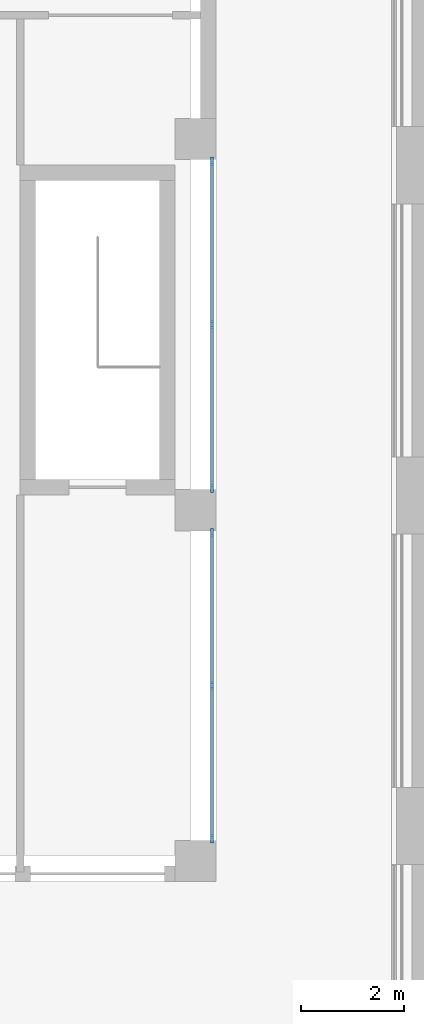
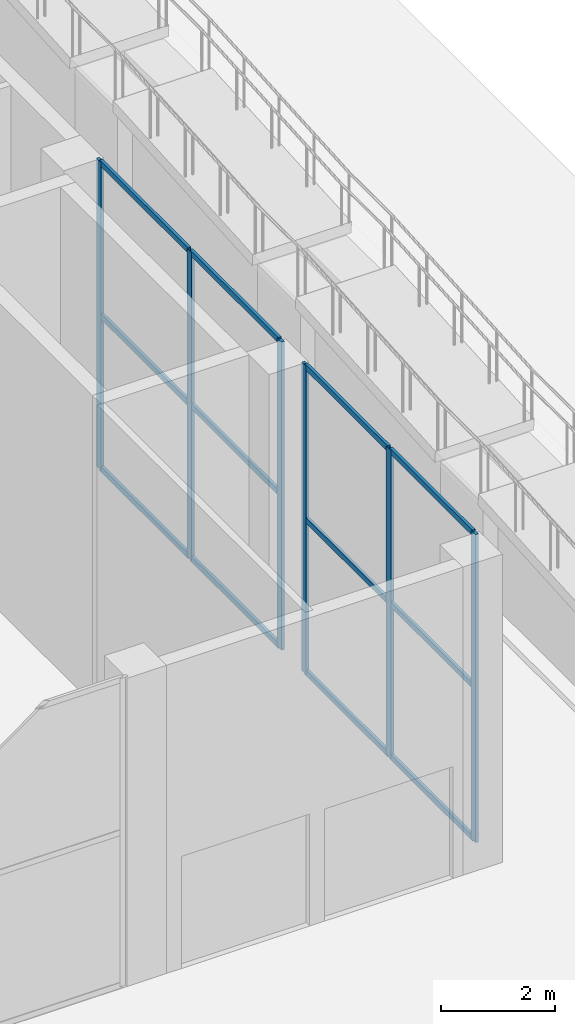
# One storey, part 8 of 44: 18 members, 2 elements without a shape of their own.
"""IFC4 building model written with IfcOpenShell, lengths in metres."""

from ifc_helpers import new_model, si_unit, direction, frame, origin, origin_2d, place, context, subcontext, project, spatial, rectangle, extrude, material, material_profile, profile_set, type_object, element, aggregate, save


model = new_model("IFC4")

# Units and contexts
model_context = context("Model", 3, precision=1e-05, world=origin(), true_north=direction((0.0, 1.0)))
body_context = subcontext(model_context, "Body", "Model", "MODEL_VIEW")
ifc_project = project(units=[si_unit("LENGTHUNIT", "METRE"), si_unit("AREAUNIT", "SQUARE_METRE"), si_unit("VOLUMEUNIT", "CUBIC_METRE"), si_unit("PLANEANGLEUNIT", "RADIAN"), si_unit("MASSUNIT", "GRAM", prefix="KILO")], contexts=[model_context])

# Site, building, storey
site_placement = place(None, origin())
site = spatial("IfcSite", under=ifc_project, at=site_placement, CompositionType="ELEMENT")
building_placement = place(site_placement, origin())
building = spatial("IfcBuilding", under=site, at=building_placement, Name="Fustian Cross Tower", CompositionType="ELEMENT")
storey_placement = place(building_placement, origin())
storey = spatial("IfcBuildingStorey", under=building, at=storey_placement, Name="L00", CompositionType="ELEMENT", Elevation=0.0)

# Curtain wall, members
ifc_material_1 = material(Name="Glass", Category="glass")
curtain_wall_type = type_object("IfcCurtainWallType", Name="CW3 CURTAIN WALL", PredefinedType="NOTDEFINED", material=ifc_material_1)
curtain_wall_1_placement = place(storey_placement, origin())
curtain_wall_1 = element("IfcCurtainWall", 1, at=curtain_wall_1_placement, inside=storey, type_object=curtain_wall_type, Name="Curtain wall CW3", PredefinedType="NOTDEFINED")
ifc_material_2 = material(Name="Aluminium alloy 6063", Category="aluminium")
ifc_material_profile_1 = material_profile(ifc_material_2, rectangle(XDim=0.06005859375, YDim=0.159912109375, at=origin_2d()), Name="CW3 MULLION 60x160")
ifc_profile_set_1 = profile_set([ifc_material_profile_1], Name="Aluminium alloy 6063")
member_type_1 = type_object("IfcMemberType", Name="CW3 MULLION 60x160", PredefinedType="MULLION", material=ifc_profile_set_1)
member_1_placement = place(storey_placement, frame((50.320068359375, -49.570068359375, 0.0), z_axis=(0.0, 0.0, 1.0), x_axis=(-1.0, 0.0, 0.0)))
member_1 = element("IfcMember", 2, at=member_1_placement, type_object=member_type_1, Name="CW3 mullion 1", PredefinedType="MULLION", context=body_context, shape_type="SweptSolid", body=[
    extrude(rectangle(XDim=0.06005859375, YDim=0.159912109375, at=origin_2d()), origin(), (0.0, 0.0, 1.0), 6.60009765625),
])
member_2_placement = place(storey_placement, frame((50.320068359375, -46.60009765625, 0.0), z_axis=(0.0, 0.0, 1.0), x_axis=(-1.0, 0.0, 0.0)))
member_2 = element("IfcMember", 3, at=member_2_placement, type_object=member_type_1, Name="CW3 mullion 2", PredefinedType="MULLION", context=body_context, shape_type="SweptSolid", body=[
    extrude(rectangle(XDim=0.06005859375, YDim=0.159912109375, at=origin_2d()), origin(), (0.0, 0.0, 1.0), 6.60009765625),
])
member_3_placement = place(storey_placement, frame((50.320068359375, -43.6298828125, 0.0), z_axis=(0.0, 0.0, 1.0), x_axis=(-1.0, 0.0, 0.0)))
member_3 = element("IfcMember", 4, at=member_3_placement, type_object=member_type_1, Name="CW3 mullion 3", PredefinedType="MULLION", context=body_context, shape_type="SweptSolid", body=[
    extrude(rectangle(XDim=0.06005859375, YDim=0.159912109375, at=origin_2d()), origin(), (0.0, 0.0, 1.0), 6.60009765625),
])

curtain_wall_2_placement = place(storey_placement, origin())
curtain_wall_2 = element("IfcCurtainWall", 5, at=curtain_wall_2_placement, inside=storey, type_object=curtain_wall_type, Name="Curtain wall CW3", PredefinedType="NOTDEFINED")
member_4_placement = place(storey_placement, frame((50.320068359375, -42.77001953125, 0.0), z_axis=(0.0, 0.0, 1.0), x_axis=(-1.0, 0.0, 0.0)))
member_4 = element("IfcMember", 6, at=member_4_placement, type_object=member_type_1, Name="CW3 mullion 1", PredefinedType="MULLION", context=body_context, shape_type="SweptSolid", body=[
    extrude(rectangle(XDim=0.06005859375, YDim=0.159912109375, at=origin_2d()), origin(), (0.0, 0.0, 1.0), 6.60009765625),
])
member_5_placement = place(storey_placement, frame((50.320068359375, -39.60009765625, 0.0), z_axis=(0.0, 0.0, 1.0), x_axis=(-1.0, 0.0, 0.0)))
member_5 = element("IfcMember", 7, at=member_5_placement, type_object=member_type_1, Name="CW3 mullion 2", PredefinedType="MULLION", context=body_context, shape_type="SweptSolid", body=[
    extrude(rectangle(XDim=0.06005859375, YDim=0.159912109375, at=origin_2d()), origin(), (0.0, 0.0, 1.0), 6.60009765625),
])
member_6_placement = place(storey_placement, frame((50.320068359375, -36.429931640625, 0.0), z_axis=(0.0, 0.0, 1.0), x_axis=(-1.0, 0.0, 0.0)))
member_6 = element("IfcMember", 8, at=member_6_placement, type_object=member_type_1, Name="CW3 mullion 3", PredefinedType="MULLION", context=body_context, shape_type="SweptSolid", body=[
    extrude(rectangle(XDim=0.06005859375, YDim=0.159912109375, at=origin_2d()), origin(), (0.0, 0.0, 1.0), 6.60009765625),
])

# Member
ifc_material_3 = material(Name="Aluminium alloy 6063", Category="aluminium")
ifc_material_profile_2 = material_profile(ifc_material_3, rectangle(XDim=0.06005859375, YDim=0.1201171875, at=origin_2d()), Name="CW3 TRANSOM 60x120")
ifc_profile_set_2 = profile_set([ifc_material_profile_2], Name="Aluminium alloy 6063")
member_type_2 = type_object("IfcMemberType", Name="CW3 TRANSOM 60x120", PredefinedType="USERDEFINED", material=ifc_profile_set_2)
member_7_placement = place(storey_placement, frame((50.320068359375, -49.5400390625, 0.030029296875), z_axis=(0.0, 1.0, 0.0), x_axis=(-1.0, 0.0, 0.0)))
member_7 = element("IfcMember", 9, at=member_7_placement, type_object=member_type_2, Name="CW3 transom 1.1", ObjectType="TRANSOM", PredefinedType="USERDEFINED", context=body_context, shape_type="SweptSolid", body=[
    extrude(rectangle(XDim=0.06005859375, YDim=0.1201171875, at=origin_2d()), origin(), (0.0, 0.0, 1.0), 2.91015625),
])

member_8_placement = place(storey_placement, frame((50.320068359375, -49.5400390625, 3.300048828125), z_axis=(0.0, 1.0, 0.0), x_axis=(-1.0, 0.0, 0.0)))
member_8 = element("IfcMember", 10, at=member_8_placement, type_object=member_type_2, Name="CW3 transom 1.2", ObjectType="TRANSOM", PredefinedType="USERDEFINED", context=body_context, shape_type="SweptSolid", body=[
    extrude(rectangle(XDim=0.06005859375, YDim=0.1201171875, at=origin_2d()), origin(), (0.0, 0.0, 1.0), 2.91015625),
])

member_9_placement = place(storey_placement, frame((50.320068359375, -49.5400390625, 6.570068359375), z_axis=(0.0, 1.0, 0.0), x_axis=(-1.0, 0.0, 0.0)))
member_9 = element("IfcMember", 11, at=member_9_placement, type_object=member_type_2, Name="CW3 transom 1.3", ObjectType="TRANSOM", PredefinedType="USERDEFINED", context=body_context, shape_type="SweptSolid", body=[
    extrude(rectangle(XDim=0.06005859375, YDim=0.1201171875, at=origin_2d()), origin(), (0.0, 0.0, 1.0), 2.91015625),
])

member_10_placement = place(storey_placement, frame((50.320068359375, -46.570068359375, 0.030029296875), z_axis=(0.0, 1.0, 0.0), x_axis=(-1.0, 0.0, 0.0)))
member_10 = element("IfcMember", 12, at=member_10_placement, type_object=member_type_2, Name="CW3 transom 2.1", ObjectType="TRANSOM", PredefinedType="USERDEFINED", context=body_context, shape_type="SweptSolid", body=[
    extrude(rectangle(XDim=0.06005859375, YDim=0.1201171875, at=origin_2d()), origin(), (0.0, 0.0, 1.0), 2.91015625),
])

member_11_placement = place(storey_placement, frame((50.320068359375, -46.570068359375, 3.300048828125), z_axis=(0.0, 1.0, 0.0), x_axis=(-1.0, 0.0, 0.0)))
member_11 = element("IfcMember", 13, at=member_11_placement, type_object=member_type_2, Name="CW3 transom 2.2", ObjectType="TRANSOM", PredefinedType="USERDEFINED", context=body_context, shape_type="SweptSolid", body=[
    extrude(rectangle(XDim=0.06005859375, YDim=0.1201171875, at=origin_2d()), origin(), (0.0, 0.0, 1.0), 2.91015625),
])

member_12_placement = place(storey_placement, frame((50.320068359375, -46.570068359375, 6.570068359375), z_axis=(0.0, 1.0, 0.0), x_axis=(-1.0, 0.0, 0.0)))
member_12 = element("IfcMember", 14, at=member_12_placement, type_object=member_type_2, Name="CW3 transom 2.3", ObjectType="TRANSOM", PredefinedType="USERDEFINED", context=body_context, shape_type="SweptSolid", body=[
    extrude(rectangle(XDim=0.06005859375, YDim=0.1201171875, at=origin_2d()), origin(), (0.0, 0.0, 1.0), 2.91015625),
])

aggregate(curtain_wall_1, [member_1, member_2, member_3, member_7, member_8, member_9, member_10, member_11, member_12])

member_13_placement = place(storey_placement, frame((50.320068359375, -42.739990234375, 0.030029296875), z_axis=(0.0, 1.0, 0.0), x_axis=(-1.0, 0.0, 0.0)))
member_13 = element("IfcMember", 15, at=member_13_placement, type_object=member_type_2, Name="CW3 transom 1.1", ObjectType="TRANSOM", PredefinedType="USERDEFINED", context=body_context, shape_type="SweptSolid", body=[
    extrude(rectangle(XDim=0.06005859375, YDim=0.1201171875, at=origin_2d()), origin(), (0.0, 0.0, 1.0), 3.110107421875),
])

member_14_placement = place(storey_placement, frame((50.320068359375, -42.739990234375, 3.300048828125), z_axis=(0.0, 1.0, 0.0), x_axis=(-1.0, 0.0, 0.0)))
member_14 = element("IfcMember", 16, at=member_14_placement, type_object=member_type_2, Name="CW3 transom 1.2", ObjectType="TRANSOM", PredefinedType="USERDEFINED", context=body_context, shape_type="SweptSolid", body=[
    extrude(rectangle(XDim=0.06005859375, YDim=0.1201171875, at=origin_2d()), origin(), (0.0, 0.0, 1.0), 3.110107421875),
])

member_15_placement = place(storey_placement, frame((50.320068359375, -42.739990234375, 6.570068359375), z_axis=(0.0, 1.0, 0.0), x_axis=(-1.0, 0.0, 0.0)))
member_15 = element("IfcMember", 17, at=member_15_placement, type_object=member_type_2, Name="CW3 transom 1.3", ObjectType="TRANSOM", PredefinedType="USERDEFINED", context=body_context, shape_type="SweptSolid", body=[
    extrude(rectangle(XDim=0.06005859375, YDim=0.1201171875, at=origin_2d()), origin(), (0.0, 0.0, 1.0), 3.110107421875),
])

member_16_placement = place(storey_placement, frame((50.320068359375, -39.570068359375, 0.030029296875), z_axis=(0.0, 1.0, 0.0), x_axis=(-1.0, 0.0, 0.0)))
member_16 = element("IfcMember", 18, at=member_16_placement, type_object=member_type_2, Name="CW3 transom 2.1", ObjectType="TRANSOM", PredefinedType="USERDEFINED", context=body_context, shape_type="SweptSolid", body=[
    extrude(rectangle(XDim=0.06005859375, YDim=0.1201171875, at=origin_2d()), origin(), (0.0, 0.0, 1.0), 3.110107421875),
])

member_17_placement = place(storey_placement, frame((50.320068359375, -39.570068359375, 3.300048828125), z_axis=(0.0, 1.0, 0.0), x_axis=(-1.0, 0.0, 0.0)))
member_17 = element("IfcMember", 19, at=member_17_placement, type_object=member_type_2, Name="CW3 transom 2.2", ObjectType="TRANSOM", PredefinedType="USERDEFINED", context=body_context, shape_type="SweptSolid", body=[
    extrude(rectangle(XDim=0.06005859375, YDim=0.1201171875, at=origin_2d()), origin(), (0.0, 0.0, 1.0), 3.110107421875),
])

member_18_placement = place(storey_placement, frame((50.320068359375, -39.570068359375, 6.570068359375), z_axis=(0.0, 1.0, 0.0), x_axis=(-1.0, 0.0, 0.0)))
member_18 = element("IfcMember", 20, at=member_18_placement, type_object=member_type_2, Name="CW3 transom 2.3", ObjectType="TRANSOM", PredefinedType="USERDEFINED", context=body_context, shape_type="SweptSolid", body=[
    extrude(rectangle(XDim=0.06005859375, YDim=0.1201171875, at=origin_2d()), origin(), (0.0, 0.0, 1.0), 3.110107421875),
])

aggregate(curtain_wall_2, [member_4, member_5, member_6, member_13, member_14, member_15, member_16, member_17, member_18])

save(model, "model.ifc")
